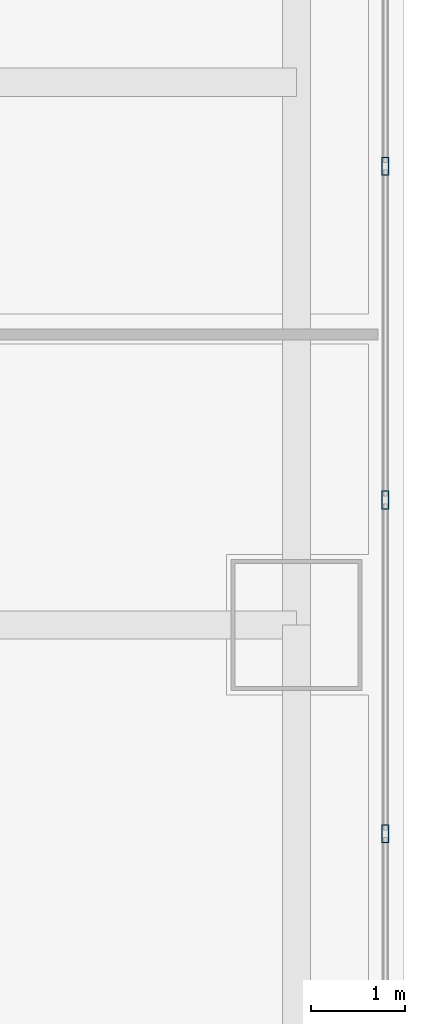
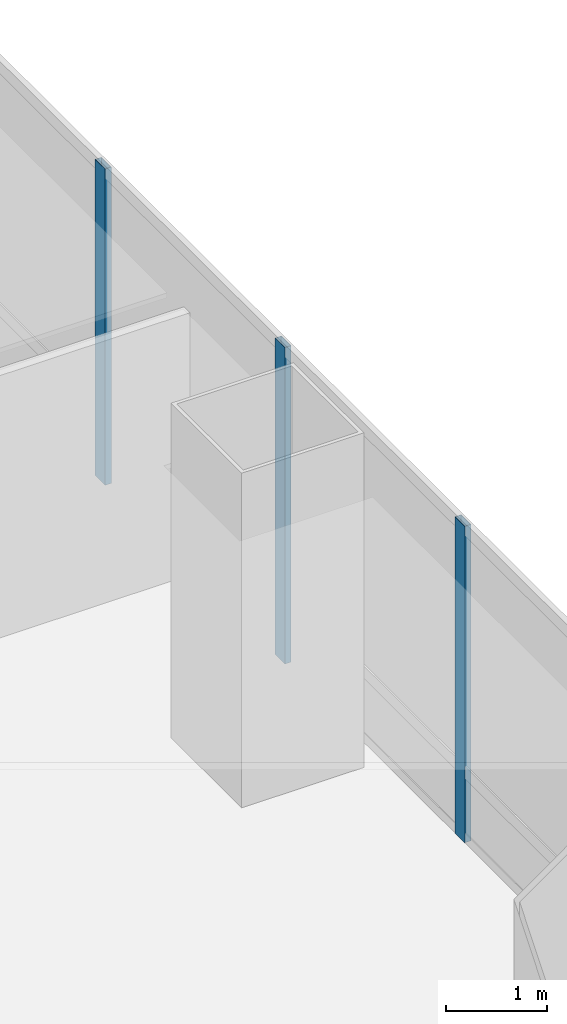
# One storey, part 17 of 36: 3 members, 1 element without a shape of its own.
"""IFC4 building model written with IfcOpenShell, lengths in metres."""

from ifc_helpers import new_model, si_unit, direction, frame, origin, origin_2d, place, context, subcontext, project, spatial, hollow_rectangle, extrude, material, material_profile, profile_set, type_object, element, aggregate, save


model = new_model("IFC4")

# Units and contexts
model_context = context("Model", 3, precision=1e-05, world=origin(), true_north=direction((0.0, 1.0)))
body_context = subcontext(model_context, "Body", "Model", "MODEL_VIEW")
ifc_project = project(units=[si_unit("LENGTHUNIT", "METRE"), si_unit("AREAUNIT", "SQUARE_METRE"), si_unit("VOLUMEUNIT", "CUBIC_METRE"), si_unit("PLANEANGLEUNIT", "RADIAN"), si_unit("MASSUNIT", "GRAM", prefix="KILO")], contexts=[model_context])

# Site, building, storey
site_placement = place(None, origin())
site = spatial("IfcSite", under=ifc_project, at=site_placement, CompositionType="ELEMENT")
building_placement = place(site_placement, origin())
building = spatial("IfcBuilding", under=site, at=building_placement, Name="Punatoya Terracotta Tower", CompositionType="ELEMENT")
storey_placement = place(building_placement, frame((0.0, 0.0, 176.25)))
storey = spatial("IfcBuildingStorey", under=building, at=storey_placement, Name="L41", CompositionType="ELEMENT", Elevation=176.25)

# Curtain wall, members
ifc_material_1 = material(Name="Aluminium 6063-T6 + Double Low-E Glass", Category="aluminium")
curtain_wall_type = type_object("IfcCurtainWallType", Name="CW-M2", PredefinedType="NOTDEFINED", material=ifc_material_1)
curtain_wall_placement = place(storey_placement, origin())
curtain_wall = element("IfcCurtainWall", 1, at=curtain_wall_placement, inside=storey, type_object=curtain_wall_type, Name="L41 Curtain Wall CW-L41-E05-1", PredefinedType="NOTDEFINED")
ifc_material_2 = material(Name="Aluminium 6063-T6", Category="aluminium")
ifc_material_profile = material_profile(ifc_material_2, hollow_rectangle(XDim=0.072021484375, YDim=0.195068359375, WallThickness=0.00439453125, at=origin_2d()))
ifc_profile_set = profile_set([ifc_material_profile], Name="Aluminium 6063-T6")
member_type = type_object("IfcMemberType", Name="CW-MUL-M2", PredefinedType="MULLION", material=ifc_profile_set)
member_1_placement = place(storey_placement, frame((20.050048828125, 1.16748046875, 0.0), z_axis=(0.0, 0.0, 1.0), x_axis=(1.0, 0.0, 0.0)))
member_1 = element("IfcMember", 2, at=member_1_placement, type_object=member_type, Name="CW-L41-E05-1 Mullion 06", PredefinedType="MULLION", context=body_context, shape_type="SweptSolid", body=[
    extrude(hollow_rectangle(XDim=0.072021484375, YDim=0.195068359375, WallThickness=0.00439453125, at=origin_2d()), origin(), (0.0, 0.0, 1.0), 3.830078125),
])
member_2_placement = place(storey_placement, frame((20.050048828125, 4.73486328125, 0.0), z_axis=(0.0, 0.0, 1.0), x_axis=(1.0, 0.0, 0.0)))
member_2 = element("IfcMember", 3, at=member_2_placement, type_object=member_type, Name="CW-L41-E05-1 Mullion 07", PredefinedType="MULLION", context=body_context, shape_type="SweptSolid", body=[
    extrude(hollow_rectangle(XDim=0.072021484375, YDim=0.195068359375, WallThickness=0.00439453125, at=origin_2d()), origin(), (0.0, 0.0, 1.0), 3.830078125),
])
member_3_placement = place(storey_placement, frame((20.050048828125, 8.302001953125, 0.0), z_axis=(0.0, 0.0, 1.0), x_axis=(1.0, 0.0, 0.0)))
member_3 = element("IfcMember", 4, at=member_3_placement, type_object=member_type, Name="CW-L41-E05-1 Mullion 08", PredefinedType="MULLION", context=body_context, shape_type="SweptSolid", body=[
    extrude(hollow_rectangle(XDim=0.072021484375, YDim=0.195068359375, WallThickness=0.00439453125, at=origin_2d()), origin(), (0.0, 0.0, 1.0), 3.830078125),
])
aggregate(curtain_wall, [member_1, member_2, member_3])

save(model, "model.ifc")
